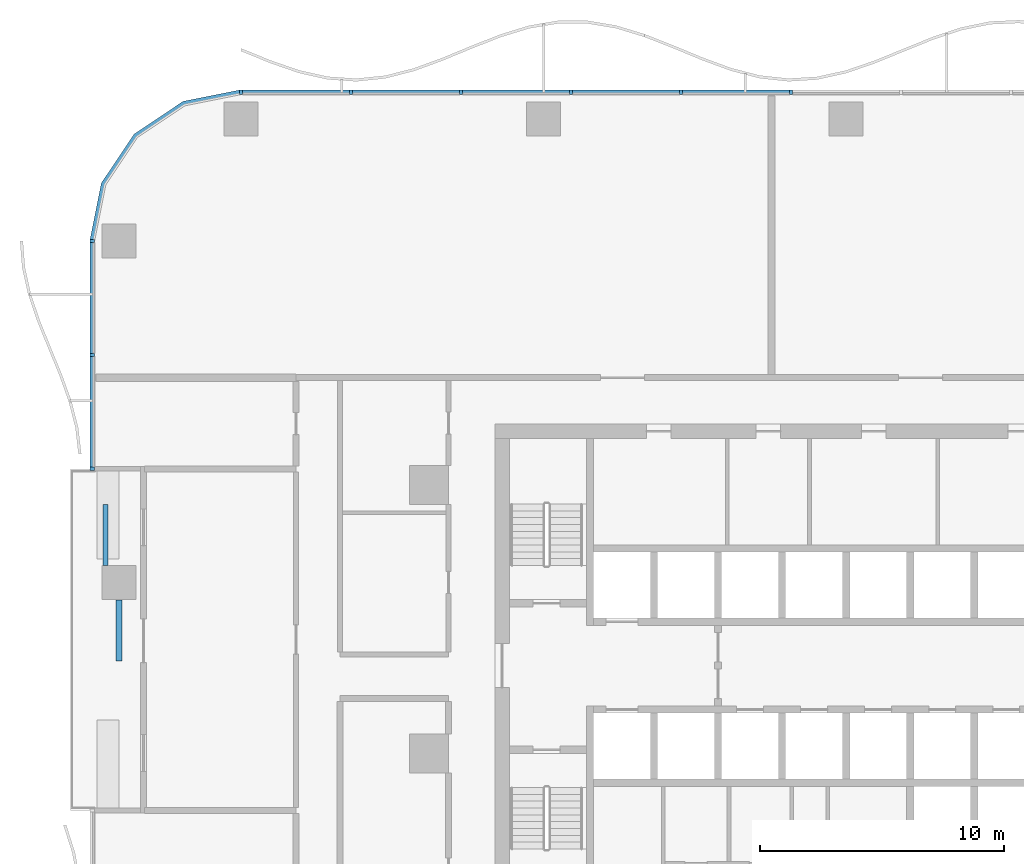
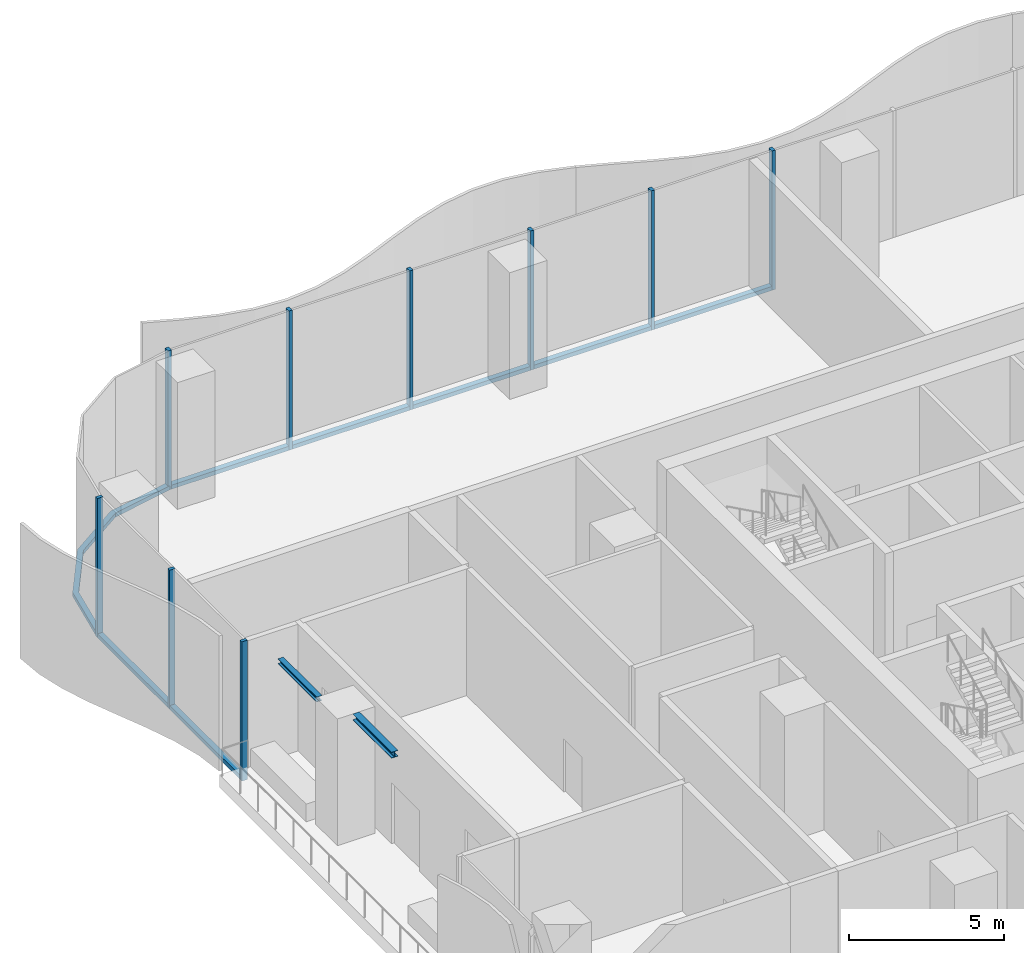
# One storey, part 4 of 20: 17 members, 2 beams, 3 elements without a shape of their own.
"""IFC4 building model written with IfcOpenShell, lengths in metres."""

from ifc_helpers import new_model, si_unit, direction, frame, origin, origin_2d, place, context, subcontext, project, spatial, polyline, rectangle, i_section, outline, extrude, material, material_profile, profile_set, type_object, element, aggregate, save


model = new_model("IFC4")

# Units and contexts
model_context = context("Model", 3, precision=1e-05, world=origin(), true_north=direction((0.0, 1.0)))
body_context = subcontext(model_context, "Body", "Model", "MODEL_VIEW")
ifc_project = project(units=[si_unit("LENGTHUNIT", "METRE"), si_unit("AREAUNIT", "SQUARE_METRE"), si_unit("VOLUMEUNIT", "CUBIC_METRE"), si_unit("PLANEANGLEUNIT", "RADIAN"), si_unit("MASSUNIT", "GRAM", prefix="KILO")], contexts=[model_context])

# Site, building, storey
site_placement = place(None, origin())
site = spatial("IfcSite", under=ifc_project, at=site_placement, CompositionType="ELEMENT")
building_placement = place(site_placement, origin())
building = spatial("IfcBuilding", under=site, at=building_placement, Name="Mopane Tessera Tower", CompositionType="ELEMENT")
storey_placement = place(building_placement, frame((0.0, 0.0, 14.5)))
storey = spatial("IfcBuildingStorey", under=building, at=storey_placement, Name="L02", CompositionType="ELEMENT", Elevation=14.5)

# Curtain wall, members
ifc_material_1 = material(Name="Aluminium frame", Category="aluminium")
curtain_wall_type = type_object("IfcCurtainWallType", Name="Podium unitised wall", PredefinedType="NOTDEFINED", material=ifc_material_1)
curtain_wall_1_placement = place(storey_placement, origin())
curtain_wall_1 = element("IfcCurtainWall", 1, at=curtain_wall_1_placement, inside=storey, type_object=curtain_wall_type, Name="e:cw:L02:N:0", PredefinedType="NOTDEFINED")
ifc_material_2 = material(Name="Aluminium frame", Category="aluminium")
ifc_material_profile_1 = material_profile(ifc_material_2, rectangle(XDim=0.125, YDim=0.199951171875, at=origin_2d()))
ifc_profile_set_1 = profile_set([ifc_material_profile_1], Name="Aluminium frame")
member_type_1 = type_object("IfcMemberType", Name="Aluminium mullion 125 x 200", PredefinedType="MULLION", material=ifc_profile_set_1)
member_1_placement = place(storey_placement, frame((-2.254638671875, 27.10009765625, -0.5), z_axis=(0.0, 0.0, 1.0), x_axis=(-1.0, 0.0, 0.0)))
member_1 = element("IfcMember", 2, at=member_1_placement, type_object=member_type_1, Name="e:cw:L02:N:0:mu6", PredefinedType="MULLION", context=body_context, shape_type="SweptSolid", body=[
    extrude(rectangle(XDim=0.125, YDim=0.199951171875, at=origin_2d()), origin(), (0.0, 0.0, 1.0), 5.5),
])
member_2_placement = place(storey_placement, frame((-6.763671875, 27.10009765625, -0.5), z_axis=(0.0, 0.0, 1.0), x_axis=(-1.0, 0.0, 0.0)))
member_2 = element("IfcMember", 3, at=member_2_placement, type_object=member_type_1, Name="e:cw:L02:N:0:mu7", PredefinedType="MULLION", context=body_context, shape_type="SweptSolid", body=[
    extrude(rectangle(XDim=0.125, YDim=0.199951171875, at=origin_2d()), origin(), (0.0, 0.0, 1.0), 5.5),
])
member_3_placement = place(storey_placement, frame((-11.272705078125, 27.10009765625, -0.5), z_axis=(0.0, 0.0, 1.0), x_axis=(-1.0, 0.0, 0.0)))
member_3 = element("IfcMember", 4, at=member_3_placement, type_object=member_type_1, Name="e:cw:L02:N:0:mu8", PredefinedType="MULLION", context=body_context, shape_type="SweptSolid", body=[
    extrude(rectangle(XDim=0.125, YDim=0.199951171875, at=origin_2d()), origin(), (0.0, 0.0, 1.0), 5.5),
])
member_4_placement = place(storey_placement, frame((-15.78173828125, 27.10009765625, -0.5), z_axis=(0.0, 0.0, 1.0), x_axis=(-1.0, 0.0, 0.0)))
member_4 = element("IfcMember", 5, at=member_4_placement, type_object=member_type_1, Name="e:cw:L02:N:0:mu9", PredefinedType="MULLION", context=body_context, shape_type="SweptSolid", body=[
    extrude(rectangle(XDim=0.125, YDim=0.199951171875, at=origin_2d()), origin(), (0.0, 0.0, 1.0), 5.5),
])
member_5_placement = place(storey_placement, frame((-20.291015625, 27.10009765625, -0.5), z_axis=(0.0, 0.0, 1.0), x_axis=(-1.0, 0.0, 0.0)))
member_5 = element("IfcMember", 6, at=member_5_placement, type_object=member_type_1, Name="e:cw:L02:N:0:mu10", PredefinedType="MULLION", context=body_context, shape_type="SweptSolid", body=[
    extrude(rectangle(XDim=0.125, YDim=0.199951171875, at=origin_2d()), origin(), (0.0, 0.0, 1.0), 5.5),
])
member_6_placement = place(storey_placement, frame((-24.800048828125, 27.10009765625, -0.5), z_axis=(0.0, 0.0, 1.0), x_axis=(-1.0, 0.0, 0.0)))
member_6 = element("IfcMember", 7, at=member_6_placement, type_object=member_type_1, Name="e:cw:L02:N:0:mu11", PredefinedType="MULLION", context=body_context, shape_type="SweptSolid", body=[
    extrude(rectangle(XDim=0.125, YDim=0.199951171875, at=origin_2d()), origin(), (0.0, 0.0, 1.0), 5.5),
])

curtain_wall_2_placement = place(storey_placement, origin())
curtain_wall_2 = element("IfcCurtainWall", 8, at=curtain_wall_2_placement, inside=storey, type_object=curtain_wall_type, Name="e:cw:L02:W:0", PredefinedType="NOTDEFINED")
member_7_placement = place(storey_placement, frame((-30.89990234375, 21.0, -0.5), z_axis=(0.0, 0.0, 1.0), x_axis=(0.0, -1.0, 0.0)))
member_7 = element("IfcMember", 9, at=member_7_placement, type_object=member_type_1, Name="e:cw:L02:W:0:mu0", PredefinedType="MULLION", context=body_context, shape_type="SweptSolid", body=[
    extrude(rectangle(XDim=0.125, YDim=0.199951171875, at=origin_2d()), origin(), (0.0, 0.0, 1.0), 5.5),
])
member_8_placement = place(storey_placement, frame((-30.89990234375, 16.333251953125, -0.5), z_axis=(0.0, 0.0, 1.0), x_axis=(0.0, -1.0, 0.0)))
member_8 = element("IfcMember", 10, at=member_8_placement, type_object=member_type_1, Name="e:cw:L02:W:0:mu1", PredefinedType="MULLION", context=body_context, shape_type="SweptSolid", body=[
    extrude(rectangle(XDim=0.125, YDim=0.199951171875, at=origin_2d()), origin(), (0.0, 0.0, 1.0), 5.5),
])
member_9_placement = place(storey_placement, frame((-30.89990234375, 11.666748046875, -0.5), z_axis=(0.0, 0.0, 1.0), x_axis=(0.0, -1.0, 0.0)))
member_9 = element("IfcMember", 11, at=member_9_placement, type_object=member_type_1, Name="e:cw:L02:W:0:mu2", PredefinedType="MULLION", context=body_context, shape_type="SweptSolid", body=[
    extrude(rectangle(XDim=0.125, YDim=0.199951171875, at=origin_2d()), origin(), (0.0, 0.0, 1.0), 5.5),
])

# Member
ifc_material_3 = material(Name="Aluminium frame", Category="aluminium")
ifc_material_profile_2 = material_profile(ifc_material_3, rectangle(XDim=0.199951171875, YDim=0.159912109375, at=origin_2d()))
ifc_profile_set_2 = profile_set([ifc_material_profile_2], Name="Aluminium frame")
member_type_2 = type_object("IfcMemberType", Name="Aluminium transom 200 x 160", PredefinedType="USERDEFINED", material=ifc_profile_set_2)
member_10_placement = place(storey_placement, frame((-2.317138671875, 27.10009765625, -0.419921875), z_axis=(-1.0, 0.0, 0.0), x_axis=(0.0, -1.0, 0.0)))
member_10 = element("IfcMember", 12, at=member_10_placement, type_object=member_type_2, Name="e:cw:L02:N:0:tr6", ObjectType="TRANSOM", PredefinedType="USERDEFINED", context=body_context, shape_type="SweptSolid", body=[
    extrude(rectangle(XDim=0.199951171875, YDim=0.159912109375, at=origin_2d()), origin(), (0.0, 0.0, 1.0), 4.384033203125),
])

member_11_placement = place(storey_placement, frame((-6.826171875, 27.10009765625, -0.419921875), z_axis=(-1.0, 0.0, 0.0), x_axis=(0.0, -1.0, 0.0)))
member_11 = element("IfcMember", 13, at=member_11_placement, type_object=member_type_2, Name="e:cw:L02:N:0:tr7", ObjectType="TRANSOM", PredefinedType="USERDEFINED", context=body_context, shape_type="SweptSolid", body=[
    extrude(rectangle(XDim=0.199951171875, YDim=0.159912109375, at=origin_2d()), origin(), (0.0, 0.0, 1.0), 4.384033203125),
])

member_12_placement = place(storey_placement, frame((-11.335205078125, 27.10009765625, -0.419921875), z_axis=(-1.0, 0.0, 0.0), x_axis=(0.0, -1.0, 0.0)))
member_12 = element("IfcMember", 14, at=member_12_placement, type_object=member_type_2, Name="e:cw:L02:N:0:tr8", ObjectType="TRANSOM", PredefinedType="USERDEFINED", context=body_context, shape_type="SweptSolid", body=[
    extrude(rectangle(XDim=0.199951171875, YDim=0.159912109375, at=origin_2d()), origin(), (0.0, 0.0, 1.0), 4.384033203125),
])

member_13_placement = place(storey_placement, frame((-15.84423828125, 27.10009765625, -0.419921875), z_axis=(-1.0, 0.0, 0.0), x_axis=(0.0, -1.0, 0.0)))
member_13 = element("IfcMember", 15, at=member_13_placement, type_object=member_type_2, Name="e:cw:L02:N:0:tr9", ObjectType="TRANSOM", PredefinedType="USERDEFINED", context=body_context, shape_type="SweptSolid", body=[
    extrude(rectangle(XDim=0.199951171875, YDim=0.159912109375, at=origin_2d()), origin(), (0.0, 0.0, 1.0), 4.38427734375),
])

member_14_placement = place(storey_placement, frame((-20.353515625, 27.10009765625, -0.419921875), z_axis=(-1.0, 0.0, 0.0), x_axis=(0.0, -1.0, 0.0)))
member_14 = element("IfcMember", 16, at=member_14_placement, type_object=member_type_2, Name="e:cw:L02:N:0:tr10", ObjectType="TRANSOM", PredefinedType="USERDEFINED", context=body_context, shape_type="SweptSolid", body=[
    extrude(rectangle(XDim=0.199951171875, YDim=0.159912109375, at=origin_2d()), origin(), (0.0, 0.0, 1.0), 4.384033203125),
])

aggregate(curtain_wall_1, [member_1, member_2, member_3, member_4, member_5, member_6, member_10, member_11, member_12, member_13, member_14])

# Curtain wall, member
curtain_wall_3_placement = place(storey_placement, origin())
curtain_wall_3 = element("IfcCurtainWall", 17, at=curtain_wall_3_placement, inside=storey, type_object=curtain_wall_type, Name="e:cw:L02:CN", PredefinedType="NOTDEFINED")
member_15_placement = place(storey_placement, frame((0.0, 0.0, -0.5)))
member_15 = element("IfcMember", 18, at=member_15_placement, type_object=member_type_2, Name="e:cw:L02:CN:tr", ObjectType="TRANSOM", PredefinedType="USERDEFINED", context=body_context, shape_type="SweptSolid", body=[
    extrude(outline(polyline([(-24.800048828125, 27.0), (-27.09619140625, 26.543212890625), (-29.042724609375, 25.24267578125), (-30.34326171875, 23.296142578125), (-30.800048828125, 21.0), (-31.0, 21.0), (-30.528076171875, 23.37255859375), (-29.18408203125, 25.384033203125), (-27.172607421875, 26.72802734375), (-24.800048828125, 27.199951171875), (-24.800048828125, 27.0)])), origin(), (0.0, 0.0, 1.0), 0.159912109375),
])
aggregate(curtain_wall_3, [member_15])

# Member
member_16_placement = place(storey_placement, frame((-30.89990234375, 20.9375, -0.419921875), z_axis=(0.0, -1.0, 0.0), x_axis=(1.0, 0.0, 0.0)))
member_16 = element("IfcMember", 19, at=member_16_placement, type_object=member_type_2, Name="e:cw:L02:W:0:tr0", ObjectType="TRANSOM", PredefinedType="USERDEFINED", context=body_context, shape_type="SweptSolid", body=[
    extrude(rectangle(XDim=0.199951171875, YDim=0.159912109375, at=origin_2d()), origin(), (0.0, 0.0, 1.0), 4.541748046875),
])

member_17_placement = place(storey_placement, frame((-30.89990234375, 16.270751953125, -0.419921875), z_axis=(0.0, -1.0, 0.0), x_axis=(1.0, 0.0, 0.0)))
member_17 = element("IfcMember", 20, at=member_17_placement, type_object=member_type_2, Name="e:cw:L02:W:0:tr1", ObjectType="TRANSOM", PredefinedType="USERDEFINED", context=body_context, shape_type="SweptSolid", body=[
    extrude(rectangle(XDim=0.199951171875, YDim=0.159912109375, at=origin_2d()), origin(), (0.0, 0.0, 1.0), 4.54150390625),
])

aggregate(curtain_wall_2, [member_7, member_8, member_9, member_16, member_17])

# Beams
ifc_material_4 = material(Name="Structural steel S460", Category="steel")
ifc_material_profile_3 = material_profile(ifc_material_4, i_section(OverallWidth=0.239990234375, OverallDepth=0.239990234375, WebThickness=0.010009765625, FlangeThickness=0.01708984375, FilletRadius=0.02099609375, at=origin_2d()))
ifc_profile_set_3 = profile_set([ifc_material_profile_3], Name="Structural steel S460")
beam_type_1 = type_object("IfcBeamType", Name="Terrace spandrel beam HE 240 B", PredefinedType="SPANDREL", material=ifc_profile_set_3)
beam_1_placement = place(storey_placement, frame((-29.800048828125, 6.297119140625, 4.8798828125), z_axis=(0.0, -1.0, 0.0), x_axis=(1.0, 0.0, 0.0)))
element("IfcBeam", 21, at=beam_1_placement, inside=storey, type_object=beam_type_1, Name="Terrace spandrel beam N3 L03", PredefinedType="SPANDREL", context=body_context, shape_type="SweptSolid", body=[
    extrude(i_section(OverallWidth=0.239990234375, OverallDepth=0.239990234375, WebThickness=0.010009765625, FlangeThickness=0.01708984375, FilletRadius=0.02099609375, at=origin_2d()), origin(), (0.0, 0.0, 1.0), 2.5),
])
ifc_material_5 = material(Name="Structural steel S460", Category="steel")
ifc_material_profile_4 = material_profile(ifc_material_5, i_section(OverallWidth=0.199951171875, OverallDepth=0.199951171875, WebThickness=0.009033203125, FlangeThickness=0.014892578125, FilletRadius=0.01806640625, at=origin_2d()))
ifc_profile_set_4 = profile_set([ifc_material_profile_4], Name="Structural steel S460")
beam_type_2 = type_object("IfcBeamType", Name="Terrace trimmer beam HE 200 B", PredefinedType="BEAM", material=ifc_profile_set_4)
beam_2_placement = place(storey_placement, frame((-30.360107421875, 7.702880859375, 4.89990234375), z_axis=(0.0, 1.0, 0.0), x_axis=(-1.0, 0.0, 0.0)))
element("IfcBeam", 22, at=beam_2_placement, inside=storey, type_object=beam_type_2, Name="Terrace trimmer beam N3 L03", PredefinedType="BEAM", context=body_context, shape_type="SweptSolid", body=[
    extrude(i_section(OverallWidth=0.199951171875, OverallDepth=0.199951171875, WebThickness=0.009033203125, FlangeThickness=0.014892578125, FilletRadius=0.01806640625, at=origin_2d()), origin(), (0.0, 0.0, 1.0), 2.5),
])

save(model, "model.ifc")
